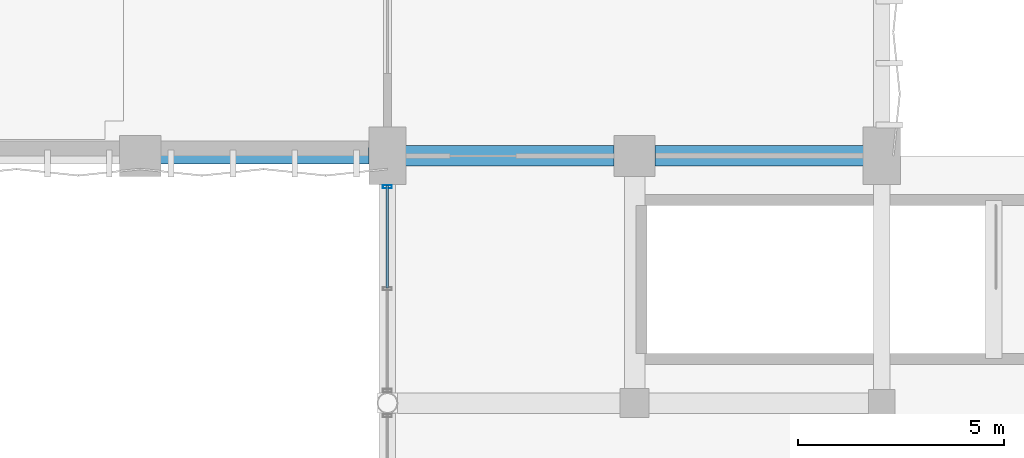
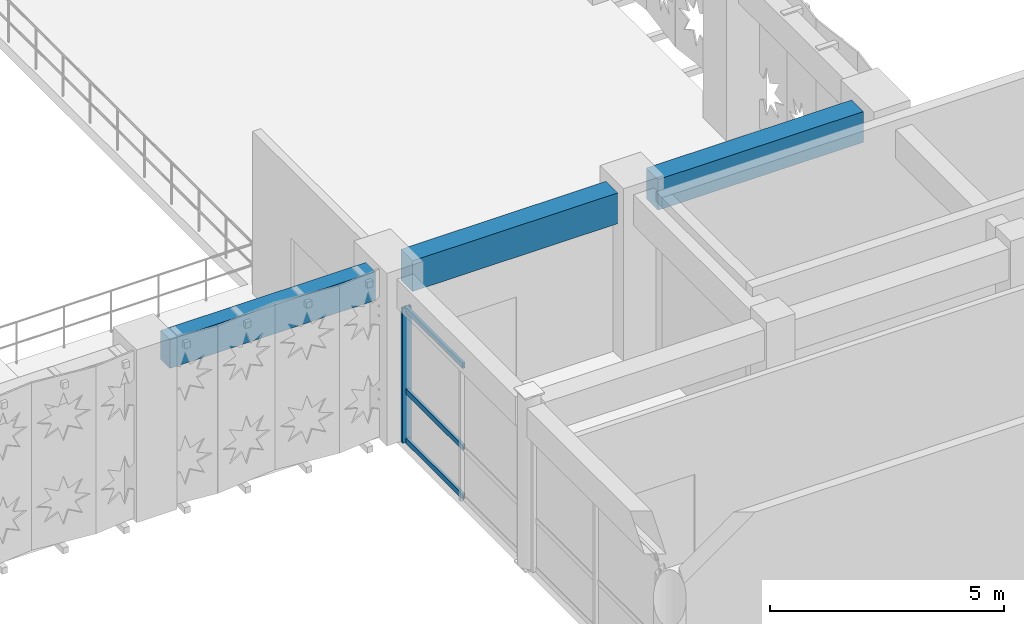
# One storey, part 17 of 116: 4 members, 3 beams, 1 element without a shape of its own.
"""IFC4 building model written with IfcOpenShell, lengths in metres."""

from ifc_helpers import new_model, si_unit, direction, frame, origin, origin_2d, place, context, subcontext, project, spatial, rectangle, hollow_rectangle, extrude, material, material_profile, profile_set, type_object, element, aggregate, save


model = new_model("IFC4")

# Units and contexts
model_context = context("Model", 3, precision=1e-05, world=origin(), true_north=direction((0.0, 1.0)))
body_context = subcontext(model_context, "Body", "Model", "MODEL_VIEW")
ifc_project = project(units=[si_unit("LENGTHUNIT", "METRE"), si_unit("AREAUNIT", "SQUARE_METRE"), si_unit("VOLUMEUNIT", "CUBIC_METRE"), si_unit("PLANEANGLEUNIT", "RADIAN"), si_unit("MASSUNIT", "GRAM", prefix="KILO"), si_unit("THERMODYNAMICTEMPERATUREUNIT", "KELVIN"), si_unit("POWERUNIT", "WATT")], contexts=[model_context])

# Site, building, storey
site_placement = place(None, origin())
site = spatial("IfcSite", under=ifc_project, at=site_placement, CompositionType="ELEMENT")
building_placement = place(site_placement, origin())
building = spatial("IfcBuilding", under=site, at=building_placement, Name="Phaisarnlok Congress Hotel", CompositionType="ELEMENT")
storey_placement = place(building_placement, frame((0.0, 0.0, 10.5)))
storey = spatial("IfcBuildingStorey", under=building, at=storey_placement, Name="L02", CompositionType="ELEMENT", Elevation=10.5)

# Beams
ifc_material_1 = material(Name="Concrete C40/50", Category="concrete")
ifc_material_profile_1 = material_profile(ifc_material_1, rectangle(XDim=0.5, YDim=0.800048828125, at=origin_2d()), Name="RC 500x800")
ifc_profile_set_1 = profile_set([ifc_material_profile_1], Name="Concrete C40/50")
beam_type_1 = type_object("IfcBeamType", Name="BM-RC-500x800", PredefinedType="BEAM", material=ifc_profile_set_1)
for number, where, z_axis, x_axis, name in (
    (1, (54.445068359375, 42.0, 3.840087890625), (1.0, 0.0, 0.0), (0.0, 1.0, 0.0), "Beam B-04"),
    (2, (60.4951171875, 42.0, 3.840087890625), (1.0, 0.0, 0.0), (0.0, 1.0, 0.0), "Beam B-04"),
):
    element("IfcBeam", number, at=place(storey_placement, frame(where, z_axis=z_axis, x_axis=x_axis)), inside=storey, type_object=beam_type_1, Name=name, PredefinedType="BEAM", context=body_context, shape_type="SweptSolid", body=[
        extrude(rectangle(XDim=0.5, YDim=0.800048828125, at=origin_2d()), origin(), (0.0, 0.0, 1.0), 5.059814453125),
    ])

# Curtain wall, members
ifc_material_2 = material(Name="Thermally Broken Unitised Aluminium & Low-E Glazing", Category="aluminium")
curtain_wall_type = type_object("IfcCurtainWallType", Name="CW-UNIT-18", PredefinedType="NOTDEFINED", material=ifc_material_2)
curtain_wall_placement = place(storey_placement, origin())
curtain_wall = element("IfcCurtainWall", 3, at=curtain_wall_placement, inside=storey, type_object=curtain_wall_type, Name="Unitised curtain wall CW-18 (L02)", PredefinedType="NOTDEFINED")
ifc_material_3 = material(Name="Anodised Aluminium Alloy 6063-T6", Category="aluminium")
ifc_material_profile_2 = material_profile(ifc_material_3, hollow_rectangle(XDim=0.074951171875, YDim=0.219970703125, WallThickness=0.0048828125, at=origin_2d()), Name="ALU-M 75x220x5")
ifc_profile_set_2 = profile_set([ifc_material_profile_2], Name="Anodised Aluminium Alloy 6063-T6")
member_type_1 = type_object("IfcMemberType", Name="CWM-220", PredefinedType="MULLION", material=ifc_profile_set_2)
member_1_placement = place(storey_placement, frame((54.0, 41.25, 0.0), z_axis=(0.0, 0.0, 1.0), x_axis=(0.0, -1.0, 0.0)))
member_1 = element("IfcMember", 4, at=member_1_placement, type_object=member_type_1, Name="Curtain wall mullion CWM-02", PredefinedType="MULLION", context=body_context, shape_type="SweptSolid", body=[
    extrude(hollow_rectangle(XDim=0.074951171875, YDim=0.219970703125, WallThickness=0.0048828125, at=origin_2d()), origin(), (0.0, 0.0, 1.0), 3.510009765625),
])
ifc_material_profile_3 = material_profile(ifc_material_3, hollow_rectangle(XDim=0.06494140625, YDim=0.139892578125, WallThickness=0.00390625, at=origin_2d()), Name="ALU-T 65x140x4")
ifc_profile_set_3 = profile_set([ifc_material_profile_3], Name="Anodised Aluminium Alloy 6063-T6")
member_type_2 = type_object("IfcMemberType", Name="CWT-150", PredefinedType="USERDEFINED", material=ifc_profile_set_3)
member_2_placement = place(storey_placement, frame((54.0, 41.27490234375, 0.050048828125), z_axis=(0.0, -1.0, 0.0), x_axis=(1.0, 0.0, 0.0)))
member_2 = element("IfcMember", 5, at=member_2_placement, type_object=member_type_2, Name="Curtain wall transom CWT-01", ObjectType="TRANSOM", PredefinedType="USERDEFINED", context=body_context, shape_type="SweptSolid", body=[
    extrude(hollow_rectangle(XDim=0.06494140625, YDim=0.139892578125, WallThickness=0.00390625, at=origin_2d()), origin(), (0.0, 0.0, 1.0), 2.48291015625),
])
member_3_placement = place(storey_placement, frame((54.0, 41.27490234375, 1.333740234375), z_axis=(0.0, -1.0, 0.0), x_axis=(1.0, 0.0, 0.0)))
member_3 = element("IfcMember", 6, at=member_3_placement, type_object=member_type_2, Name="Curtain wall transom CWT-01", ObjectType="TRANSOM", PredefinedType="USERDEFINED", context=body_context, shape_type="SweptSolid", body=[
    extrude(hollow_rectangle(XDim=0.06494140625, YDim=0.139892578125, WallThickness=0.00390625, at=origin_2d()), origin(), (0.0, 0.0, 1.0), 2.48291015625),
])
member_4_placement = place(storey_placement, frame((54.0, 41.27490234375, 3.4599609375), z_axis=(0.0, -1.0, 0.0), x_axis=(1.0, 0.0, 0.0)))
member_4 = element("IfcMember", 7, at=member_4_placement, type_object=member_type_2, Name="Curtain wall transom CWT-01", ObjectType="TRANSOM", PredefinedType="USERDEFINED", context=body_context, shape_type="SweptSolid", body=[
    extrude(hollow_rectangle(XDim=0.06494140625, YDim=0.139892578125, WallThickness=0.00390625, at=origin_2d()), origin(), (0.0, 0.0, 1.0), 2.48291015625),
])
aggregate(curtain_wall, [member_1, member_2, member_3, member_4])

# Beam
ifc_material_profile_4 = material_profile(ifc_material_1, rectangle(XDim=0.39990234375, YDim=0.75, at=origin_2d()), Name="RC 400x750")
ifc_profile_set_4 = profile_set([ifc_material_profile_4], Name="Concrete C40/50")
beam_type_2 = type_object("IfcBeamType", Name="SP-RC-400x750", PredefinedType="SPANDREL", material=ifc_profile_set_4)
beam_placement = place(storey_placement, frame((48.4951171875, 42.0, 3.864990234375), z_axis=(1.0, 0.0, 0.0), x_axis=(0.0, 1.0, 0.0)))
element("IfcBeam", 8, at=beam_placement, inside=storey, type_object=beam_type_2, Name="Beam SP-02", PredefinedType="SPANDREL", context=body_context, shape_type="SweptSolid", body=[
    extrude(rectangle(XDim=0.39990234375, YDim=0.75, at=origin_2d()), origin(), (0.0, 0.0, 1.0), 5.059814453125),
])

save(model, "model.ifc")
